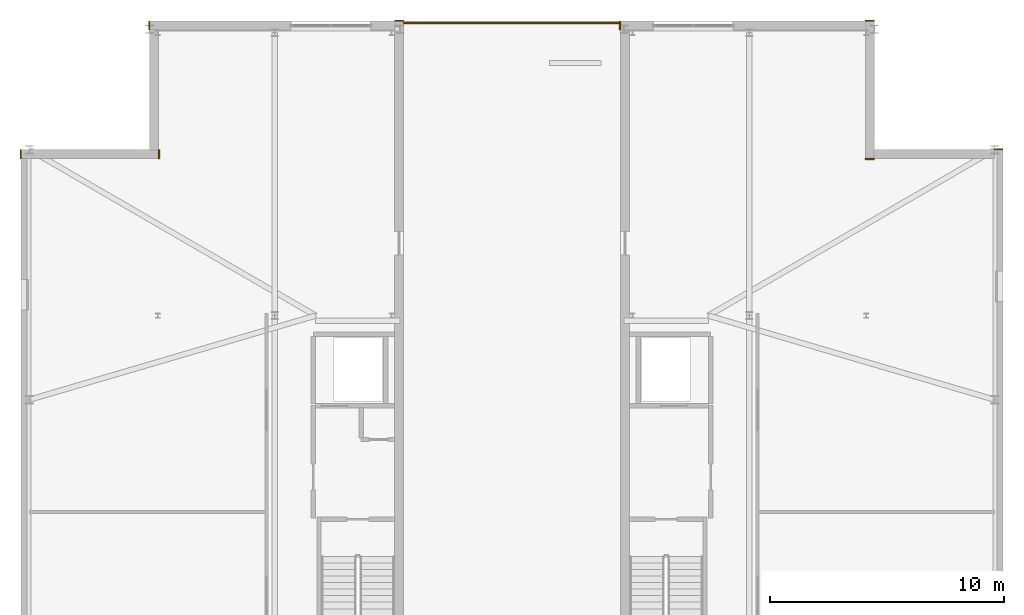
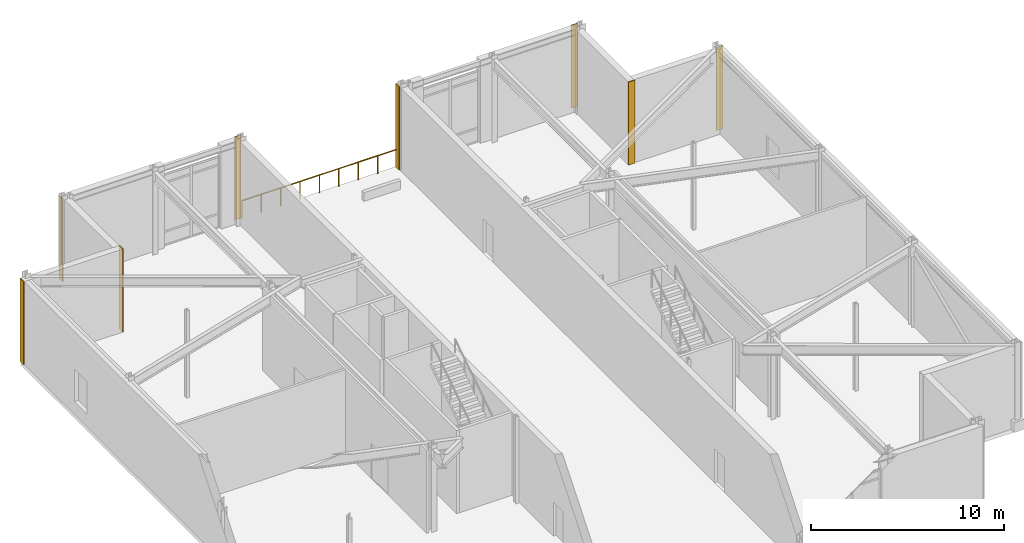
# One storey, part 16 of 16: 8 coverings, 1 railing.
"""IFC4 building model written with IfcOpenShell, lengths in metres."""

from ifc_helpers import new_model, si_unit, direction, frame, frame_2d, origin, origin_2d, place, context, subcontext, project, spatial, rectangle, circle, extrude, material, layer, layer_set, type_object, element, save


model = new_model("IFC4")

# Units and contexts
model_context = context("Model", 3, precision=1e-05, world=origin(), true_north=direction((0.0, 1.0)))
body_context = subcontext(model_context, "Body", "Model", "MODEL_VIEW")
ifc_project = project(units=[si_unit("LENGTHUNIT", "METRE"), si_unit("AREAUNIT", "SQUARE_METRE"), si_unit("VOLUMEUNIT", "CUBIC_METRE"), si_unit("PLANEANGLEUNIT", "RADIAN"), si_unit("MASSUNIT", "GRAM", prefix="KILO")], contexts=[model_context])

# Site, building, storey
site_placement = place(None, origin())
site = spatial("IfcSite", under=ifc_project, at=site_placement, CompositionType="ELEMENT")
building_placement = place(site_placement, origin())
building = spatial("IfcBuilding", under=site, at=building_placement, Name="Cairnveth Concourse Tower", CompositionType="ELEMENT")
storey_placement = place(building_placement, frame((0.0, 0.0, 324.5)))
storey = spatial("IfcBuildingStorey", under=building, at=storey_placement, Name="L89", CompositionType="ELEMENT", Elevation=324.5)

# Coverings
ifc_material_1 = material(Name="Dressed Melbourne Bluestone Cladding", Category="masonry")
ifc_layer = layer(ifc_material_1, 0.050048828125)
ifc_layer_set = layer_set([ifc_layer], Name="Dressed Melbourne Bluestone Cladding")
covering_type = type_object("IfcCoveringType", Name="DRESSED BLUESTONE PLINTH CLADDING 50", PredefinedType="CLADDING", material=ifc_layer_set)
for number, where, z_axis, x_axis, name in (
    (1, (30.97998046875, 54.1201171875, 0.0), (0.0, 0.0, 1.0), (0.0, 1.0, 0.0), "Melbourne Bluestone Corner Quoin L89-1358"),
    (2, (36.89990234375, 54.1201171875, 0.0), (0.0, 0.0, 1.0), (0.0, 1.0, 0.0), "Melbourne Bluestone Corner Quoin L89-1359"),
    (3, (36.47998046875, 59.6201171875, 0.0), (0.0, 0.0, 1.0), (0.0, 1.0, 0.0), "Melbourne Bluestone Corner Quoin L89-1360"),
):
    element("IfcCovering", number, at=place(storey_placement, frame(where, z_axis=z_axis, x_axis=x_axis)), inside=storey, type_object=covering_type, Name=name, PredefinedType="CLADDING", context=body_context, shape_type="SweptSolid", body=[
        extrude(rectangle(XDim=0.3798828125, YDim=0.050048828125, at=frame_2d((0.18994140625, 0.0))), origin(), (0.0, 0.0, 1.0), 5.25),
    ])
covering_placement = place(storey_placement, frame((46.97998046875, 60.02001953125, 0.0), z_axis=(0.0, 0.0, 1.0), x_axis=(1.0, 0.0, 0.0)))
element("IfcCovering", 4, at=covering_placement, inside=storey, type_object=covering_type, Name="Melbourne Bluestone Corner Quoin L89-1361", PredefinedType="CLADDING", context=body_context, shape_type="SweptSolid", body=[
    extrude(rectangle(XDim=0.380126953125, YDim=0.050048828125, at=frame_2d((0.18994140625, 0.0))), origin(), (0.0, 0.0, 1.0), 5.25),
])
for number, where, z_axis, x_axis, name in (
    (5, (56.6201171875, 59.6201171875, 0.0), (0.0, 0.0, 1.0), (0.0, 1.0, 0.0), "Melbourne Bluestone Corner Quoin L89-1364"),
    (6, (67.1201171875, 60.02001953125, 0.0), (0.0, 0.0, 1.0), (1.0, 0.0, 0.0), "Melbourne Bluestone Corner Quoin L89-1365"),
    (7, (67.1201171875, 54.10009765625, 0.0), (0.0, 0.0, 1.0), (1.0, 0.0, 0.0), "Melbourne Bluestone Corner Quoin L89-1366"),
    (8, (72.6201171875, 54.52001953125, 0.0), (0.0, 0.0, 1.0), (1.0, 0.0, 0.0), "Melbourne Bluestone Corner Quoin L89-1367"),
):
    element("IfcCovering", number, at=place(storey_placement, frame(where, z_axis=z_axis, x_axis=x_axis)), inside=storey, type_object=covering_type, Name=name, PredefinedType="CLADDING", context=body_context, shape_type="SweptSolid", body=[
        extrude(rectangle(XDim=0.3798828125, YDim=0.050048828125, at=frame_2d((0.18994140625, 0.0))), origin(), (0.0, 0.0, 1.0), 5.25),
    ])

# Railing
ifc_material_2 = material(Name="Architectural Bronze Anodised Aluminium 6063-T6", Category="aluminium")
railing_type = type_object("IfcRailingType", Name="TERRACE BRONZE BALUSTRADE 1150", PredefinedType="BALUSTRADE", material=ifc_material_2)
railing_placement = place(storey_placement, frame((47.360107421875, 59.919921875, 0.0)))
element("IfcRailing", 9, at=railing_placement, inside=storey, type_object=railing_type, Name="Terrace Balustrade RL-L89-CLEFT-N", PredefinedType="BALUSTRADE", context=body_context, shape_type="SweptSolid", body=[
    extrude(circle(Radius=0.02490234375, at=origin_2d()), frame((0.0, 0.0, 1.125), z_axis=(1.0, 0.0, 0.0), x_axis=(0.0, 1.0, 0.0)), (0.0, 0.0, 1.0), 9.27978515625),
    extrude(circle(Radius=0.02099609375, at=origin_2d()), origin(), (0.0, 0.0, 1.0), 1.099853515625),
    extrude(circle(Radius=0.02099609375, at=origin_2d()), frame((1.159912109375, 0.0, 0.0)), (0.0, 0.0, 1.0), 1.099853515625),
    extrude(circle(Radius=0.02099609375, at=origin_2d()), frame((2.31982421875, 0.0, 0.0)), (0.0, 0.0, 1.0), 1.099853515625),
    extrude(circle(Radius=0.02099609375, at=origin_2d()), frame((3.47998046875, 0.0, 0.0)), (0.0, 0.0, 1.0), 1.099853515625),
    extrude(circle(Radius=0.02099609375, at=origin_2d()), frame((4.639892578125, 0.0, 0.0)), (0.0, 0.0, 1.0), 1.099853515625),
    extrude(circle(Radius=0.02099609375, at=origin_2d()), frame((5.7998046875, 0.0, 0.0)), (0.0, 0.0, 1.0), 1.099853515625),
    extrude(circle(Radius=0.02099609375, at=origin_2d()), frame((6.9599609375, 0.0, 0.0)), (0.0, 0.0, 1.0), 1.099853515625),
    extrude(circle(Radius=0.02099609375, at=origin_2d()), frame((8.119873046875, 0.0, 0.0)), (0.0, 0.0, 1.0), 1.099853515625),
    extrude(circle(Radius=0.02099609375, at=origin_2d()), frame((9.27978515625, 0.0, 0.0)), (0.0, 0.0, 1.0), 1.099853515625),
])

save(model, "model.ifc")
